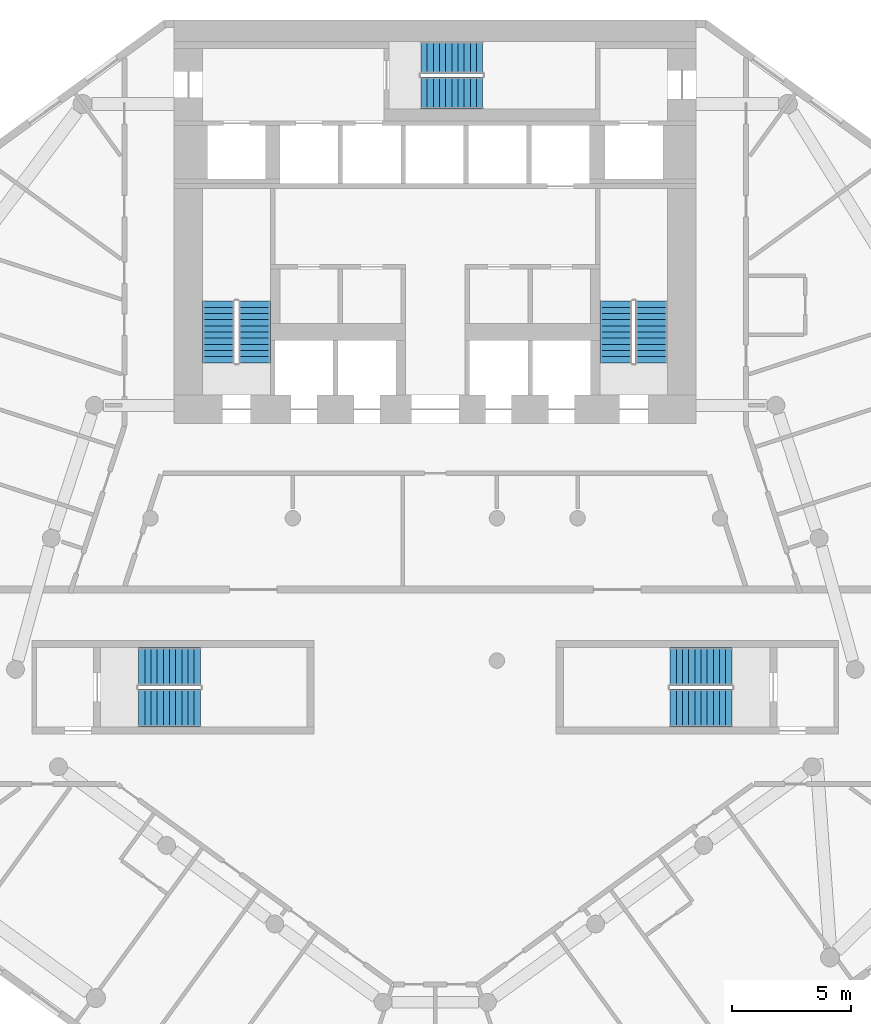
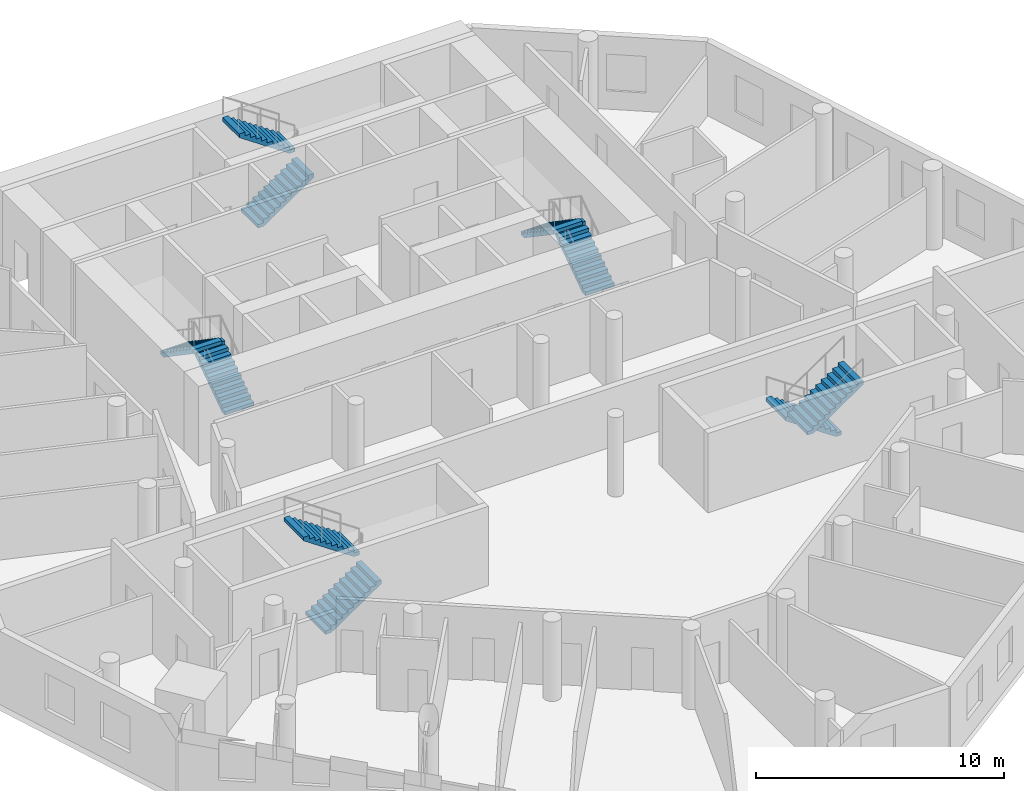
# One storey, part 7 of 9: 10 stair flights, 5 elements without a shape of their own.
"""IFC4 building model written with IfcOpenShell, lengths in metres."""

from ifc_helpers import new_model, si_unit, direction, frame, origin, place, context, subcontext, project, spatial, polyline, outline, extrude, material, layer, layer_set, type_object, element, aggregate, save


model = new_model("IFC4")

# Units and contexts
model_context = context("Model", 3, precision=1e-05, world=origin(), true_north=direction((0.0, 1.0)))
body_context = subcontext(model_context, "Body", "Model", "MODEL_VIEW")
ifc_project = project(units=[si_unit("LENGTHUNIT", "METRE"), si_unit("AREAUNIT", "SQUARE_METRE"), si_unit("VOLUMEUNIT", "CUBIC_METRE"), si_unit("PLANEANGLEUNIT", "RADIAN"), si_unit("MASSUNIT", "GRAM", prefix="KILO")], contexts=[model_context])

# Site, building, storey
site_placement = place(None, origin())
site = spatial("IfcSite", under=ifc_project, at=site_placement, CompositionType="ELEMENT")
building_placement = place(site_placement, origin())
building = spatial("IfcBuilding", under=site, at=building_placement, Name="White Candle Pilgrim Tower", CompositionType="ELEMENT")
storey_placement = place(building_placement, frame((0.0, 0.0, 46.800048828125)))
storey = spatial("IfcBuildingStorey", under=building, at=storey_placement, Name="L08", CompositionType="ELEMENT", Elevation=46.800048828125)

# Stair, stair flights
ifc_material = material(Name="Concrete C40/50", Category="concrete")
stair_type_1 = type_object("IfcStairType", Name="Exit stair 1 flight width 1350 mm", PredefinedType="HALF_TURN_STAIR", material=ifc_material)
stair_1_placement = place(storey_placement, origin())
stair_1 = element("IfcStair", 1, at=stair_1_placement, inside=storey, type_object=stair_type_1, Name="L08 stair 1", PredefinedType="NOTDEFINED")
ifc_layer = layer(ifc_material, 0.14990234375)
ifc_layer_set = layer_set([ifc_layer], Name="Stair flight Concrete C40/50")
stair_flight_type = type_object("IfcStairFlightType", Name="Stair flight Concrete C40/50", PredefinedType="STRAIGHT", material=ifc_layer_set)
stair_flight_1_placement = place(storey_placement, frame((62.375, 73.550048828125, 0.0), z_axis=(0.0, 0.0, 1.0), x_axis=(0.0, 1.0, 0.0)))
stair_flight_1 = element("IfcStairFlight", 2, at=stair_flight_1_placement, type_object=stair_flight_type, Name="ST1 flight 1", NumberOfRisers=11, NumberOfTreads=10, PredefinedType="NOTDEFINED", RiserHeight=0.177272727, TreadLength=0.26, context=body_context, shape_type="SweptSolid", body=[
    extrude(outline(polyline([(0.0, 0.0), (0.0, 0.17724609375), (0.260009765625, 0.17724609375), (0.260009765625, 0.3544921875), (0.52001953125, 0.3544921875), (0.52001953125, 0.53173828125), (0.780029296875, 0.53173828125), (0.780029296875, 0.708984375), (1.0400390625, 0.708984375), (1.0400390625, 0.886474609375), (1.300048828125, 0.886474609375), (1.300048828125, 1.063720703125), (1.56005859375, 1.063720703125), (1.56005859375, 1.240966796875), (1.820068359375, 1.240966796875), (1.820068359375, 1.418212890625), (2.080078125, 1.418212890625), (2.080078125, 1.595458984375), (2.340087890625, 1.595458984375), (2.340087890625, 1.772705078125), (2.60009765625, 1.772705078125), (2.60009765625, 1.949951171875), (2.60009765625, 1.59130859375), (0.26611328125, 0.0), (0.0, 0.0)])), frame((0.0, 0.675048828125, 0.0), z_axis=(0.0, -1.0, 0.0), x_axis=(1.0, 0.0, 0.0)), (0.0, 0.0, 1.0), 1.35009765625),
])
stair_flight_2_placement = place(storey_placement, frame((60.875, 76.14990234375, 1.949951171875), z_axis=(0.0, 0.0, 1.0), x_axis=(0.0, -1.0, 0.0)))
stair_flight_2 = element("IfcStairFlight", 3, at=stair_flight_2_placement, type_object=stair_flight_type, Name="ST1 flight 2", NumberOfRisers=11, NumberOfTreads=10, PredefinedType="NOTDEFINED", RiserHeight=0.177272727, TreadLength=0.26, context=body_context, shape_type="SweptSolid", body=[
    extrude(outline(polyline([(0.0, 0.0), (0.0, 0.17724609375), (0.260009765625, 0.17724609375), (0.260009765625, 0.3544921875), (0.52001953125, 0.3544921875), (0.52001953125, 0.53173828125), (0.780029296875, 0.53173828125), (0.780029296875, 0.708984375), (1.0400390625, 0.708984375), (1.0400390625, 0.886474609375), (1.300048828125, 0.886474609375), (1.300048828125, 1.063720703125), (1.56005859375, 1.063720703125), (1.56005859375, 1.240966796875), (1.820068359375, 1.240966796875), (1.820068359375, 1.418212890625), (2.080078125, 1.418212890625), (2.080078125, 1.595458984375), (2.340087890625, 1.595458984375), (2.340087890625, 1.772705078125), (2.60009765625, 1.772705078125), (2.60009765625, 1.949951171875), (2.60009765625, 1.59130859375), (0.26611328125, 0.0), (0.0, 0.0)])), frame((0.0, 0.675048828125, 0.0), z_axis=(0.0, -1.0, 0.0), x_axis=(1.0, 0.0, 0.0)), (0.0, 0.0, 1.0), 1.35009765625),
])
aggregate(stair_1, [stair_flight_1, stair_flight_2])

stair_type_2 = type_object("IfcStairType", Name="Exit stair 2 flight width 1350 mm", PredefinedType="HALF_TURN_STAIR", material=ifc_material)
stair_2_placement = place(storey_placement, origin())
stair_2 = element("IfcStair", 4, at=stair_2_placement, inside=storey, type_object=stair_type_2, Name="L08 stair 2", PredefinedType="NOTDEFINED")
stair_flight_3_placement = place(storey_placement, frame((79.125, 73.550048828125, 0.0), z_axis=(0.0, 0.0, 1.0), x_axis=(0.0, 1.0, 0.0)))
stair_flight_3 = element("IfcStairFlight", 5, at=stair_flight_3_placement, type_object=stair_flight_type, Name="ST2 flight 1", NumberOfRisers=11, NumberOfTreads=10, PredefinedType="NOTDEFINED", RiserHeight=0.177272727, TreadLength=0.26, context=body_context, shape_type="SweptSolid", body=[
    extrude(outline(polyline([(0.0, 0.0), (0.0, 0.17724609375), (0.260009765625, 0.17724609375), (0.260009765625, 0.3544921875), (0.52001953125, 0.3544921875), (0.52001953125, 0.53173828125), (0.780029296875, 0.53173828125), (0.780029296875, 0.708984375), (1.0400390625, 0.708984375), (1.0400390625, 0.886474609375), (1.300048828125, 0.886474609375), (1.300048828125, 1.063720703125), (1.56005859375, 1.063720703125), (1.56005859375, 1.240966796875), (1.820068359375, 1.240966796875), (1.820068359375, 1.418212890625), (2.080078125, 1.418212890625), (2.080078125, 1.595458984375), (2.340087890625, 1.595458984375), (2.340087890625, 1.772705078125), (2.60009765625, 1.772705078125), (2.60009765625, 1.949951171875), (2.60009765625, 1.59130859375), (0.26611328125, 0.0), (0.0, 0.0)])), frame((0.0, 0.675048828125, 0.0), z_axis=(0.0, -1.0, 0.0), x_axis=(1.0, 0.0, 0.0)), (0.0, 0.0, 1.0), 1.35009765625),
])
stair_flight_4_placement = place(storey_placement, frame((77.625, 76.14990234375, 1.949951171875), z_axis=(0.0, 0.0, 1.0), x_axis=(0.0, -1.0, 0.0)))
stair_flight_4 = element("IfcStairFlight", 6, at=stair_flight_4_placement, type_object=stair_flight_type, Name="ST2 flight 2", NumberOfRisers=11, NumberOfTreads=10, PredefinedType="NOTDEFINED", RiserHeight=0.177272727, TreadLength=0.26, context=body_context, shape_type="SweptSolid", body=[
    extrude(outline(polyline([(0.0, 0.0), (0.0, 0.17724609375), (0.260009765625, 0.17724609375), (0.260009765625, 0.3544921875), (0.52001953125, 0.3544921875), (0.52001953125, 0.53173828125), (0.780029296875, 0.53173828125), (0.780029296875, 0.708984375), (1.0400390625, 0.708984375), (1.0400390625, 0.886474609375), (1.300048828125, 0.886474609375), (1.300048828125, 1.063720703125), (1.56005859375, 1.063720703125), (1.56005859375, 1.240966796875), (1.820068359375, 1.240966796875), (1.820068359375, 1.418212890625), (2.080078125, 1.418212890625), (2.080078125, 1.595458984375), (2.340087890625, 1.595458984375), (2.340087890625, 1.772705078125), (2.60009765625, 1.772705078125), (2.60009765625, 1.949951171875), (2.60009765625, 1.59130859375), (0.26611328125, 0.0), (0.0, 0.0)])), frame((0.0, 0.675048828125, 0.0), z_axis=(0.0, -1.0, 0.0), x_axis=(1.0, 0.0, 0.0)), (0.0, 0.0, 1.0), 1.35009765625),
])
aggregate(stair_2, [stair_flight_3, stair_flight_4])

stair_type_3 = type_object("IfcStairType", Name="Exit stair 3 flight width 1350 mm", PredefinedType="HALF_TURN_STAIR", material=ifc_material)
stair_3_placement = place(storey_placement, origin())
stair_3 = element("IfcStair", 7, at=stair_3_placement, inside=storey, type_object=stair_type_3, Name="L08 stair 3", PredefinedType="NOTDEFINED")
stair_flight_5_placement = place(storey_placement, frame((69.39990234375, 84.925048828125, 0.0), z_axis=(0.0, 0.0, 1.0), x_axis=(1.0, 0.0, 0.0)))
stair_flight_5 = element("IfcStairFlight", 8, at=stair_flight_5_placement, type_object=stair_flight_type, Name="ST3 flight 1", NumberOfRisers=11, NumberOfTreads=10, PredefinedType="NOTDEFINED", RiserHeight=0.177272727, TreadLength=0.26, context=body_context, shape_type="SweptSolid", body=[
    extrude(outline(polyline([(0.0, 0.0), (0.0, 0.17724609375), (0.260009765625, 0.17724609375), (0.260009765625, 0.3544921875), (0.52001953125, 0.3544921875), (0.52001953125, 0.53173828125), (0.780029296875, 0.53173828125), (0.780029296875, 0.708984375), (1.0400390625, 0.708984375), (1.0400390625, 0.886474609375), (1.300048828125, 0.886474609375), (1.300048828125, 1.063720703125), (1.56005859375, 1.063720703125), (1.56005859375, 1.240966796875), (1.820068359375, 1.240966796875), (1.820068359375, 1.418212890625), (2.080078125, 1.418212890625), (2.080078125, 1.595458984375), (2.340087890625, 1.595458984375), (2.340087890625, 1.772705078125), (2.60009765625, 1.772705078125), (2.60009765625, 1.949951171875), (2.60009765625, 1.59130859375), (0.26611328125, 0.0), (0.0, 0.0)])), frame((0.0, 0.675048828125, 0.0), z_axis=(0.0, -1.0, 0.0), x_axis=(1.0, 0.0, 0.0)), (0.0, 0.0, 1.0), 1.35009765625),
])
stair_flight_6_placement = place(storey_placement, frame((72.0, 86.425048828125, 1.949951171875), z_axis=(0.0, 0.0, 1.0), x_axis=(-1.0, 0.0, 0.0)))
stair_flight_6 = element("IfcStairFlight", 9, at=stair_flight_6_placement, type_object=stair_flight_type, Name="ST3 flight 2", NumberOfRisers=11, NumberOfTreads=10, PredefinedType="NOTDEFINED", RiserHeight=0.177272727, TreadLength=0.26, context=body_context, shape_type="SweptSolid", body=[
    extrude(outline(polyline([(0.0, 0.0), (0.0, 0.17724609375), (0.260009765625, 0.17724609375), (0.260009765625, 0.3544921875), (0.52001953125, 0.3544921875), (0.52001953125, 0.53173828125), (0.780029296875, 0.53173828125), (0.780029296875, 0.708984375), (1.0400390625, 0.708984375), (1.0400390625, 0.886474609375), (1.300048828125, 0.886474609375), (1.300048828125, 1.063720703125), (1.56005859375, 1.063720703125), (1.56005859375, 1.240966796875), (1.820068359375, 1.240966796875), (1.820068359375, 1.418212890625), (2.080078125, 1.418212890625), (2.080078125, 1.595458984375), (2.340087890625, 1.595458984375), (2.340087890625, 1.772705078125), (2.60009765625, 1.772705078125), (2.60009765625, 1.949951171875), (2.60009765625, 1.59130859375), (0.26611328125, 0.0), (0.0, 0.0)])), frame((0.0, 0.675048828125, 0.0), z_axis=(0.0, -1.0, 0.0), x_axis=(1.0, 0.0, 0.0)), (0.0, 0.0, 1.0), 1.35009765625),
])
aggregate(stair_3, [stair_flight_5, stair_flight_6])

stair_type_4 = type_object("IfcStairType", Name="Exit stair 4 flight width 1600 mm", PredefinedType="HALF_TURN_STAIR", material=ifc_material)
stair_4_placement = place(storey_placement, origin())
stair_4 = element("IfcStair", 10, at=stair_4_placement, inside=storey, type_object=stair_type_4, Name="L08 stair 4", PredefinedType="NOTDEFINED")
stair_flight_7_placement = place(storey_placement, frame((82.5, 60.75, 0.0), z_axis=(0.0, 0.0, 1.0), x_axis=(-1.0, 0.0, 0.0)))
stair_flight_7 = element("IfcStairFlight", 11, at=stair_flight_7_placement, type_object=stair_flight_type, Name="ST4 flight 1", NumberOfRisers=11, NumberOfTreads=10, PredefinedType="NOTDEFINED", RiserHeight=0.177272727, TreadLength=0.26, context=body_context, shape_type="SweptSolid", body=[
    extrude(outline(polyline([(0.0, 0.0), (0.0, 0.17724609375), (0.260009765625, 0.17724609375), (0.260009765625, 0.3544921875), (0.52001953125, 0.3544921875), (0.52001953125, 0.53173828125), (0.780029296875, 0.53173828125), (0.780029296875, 0.708984375), (1.0400390625, 0.708984375), (1.0400390625, 0.886474609375), (1.300048828125, 0.886474609375), (1.300048828125, 1.063720703125), (1.56005859375, 1.063720703125), (1.56005859375, 1.240966796875), (1.820068359375, 1.240966796875), (1.820068359375, 1.418212890625), (2.080078125, 1.418212890625), (2.080078125, 1.595458984375), (2.340087890625, 1.595458984375), (2.340087890625, 1.772705078125), (2.60009765625, 1.772705078125), (2.60009765625, 1.949951171875), (2.60009765625, 1.59130859375), (0.26611328125, 0.0), (0.0, 0.0)])), frame((0.0, 0.800048828125, 0.0), z_axis=(0.0, -1.0, 0.0), x_axis=(1.0, 0.0, 0.0)), (0.0, 0.0, 1.0), 1.60009765625),
])
stair_flight_8_placement = place(storey_placement, frame((79.89990234375, 59.0, 1.949951171875), z_axis=(0.0, 0.0, 1.0), x_axis=(1.0, 0.0, 0.0)))
stair_flight_8 = element("IfcStairFlight", 12, at=stair_flight_8_placement, type_object=stair_flight_type, Name="ST4 flight 2", NumberOfRisers=11, NumberOfTreads=10, PredefinedType="NOTDEFINED", RiserHeight=0.177272727, TreadLength=0.26, context=body_context, shape_type="SweptSolid", body=[
    extrude(outline(polyline([(0.0, 0.0), (0.0, 0.17724609375), (0.260009765625, 0.17724609375), (0.260009765625, 0.3544921875), (0.52001953125, 0.3544921875), (0.52001953125, 0.53173828125), (0.780029296875, 0.53173828125), (0.780029296875, 0.708984375), (1.0400390625, 0.708984375), (1.0400390625, 0.886474609375), (1.300048828125, 0.886474609375), (1.300048828125, 1.063720703125), (1.56005859375, 1.063720703125), (1.56005859375, 1.240966796875), (1.820068359375, 1.240966796875), (1.820068359375, 1.418212890625), (2.080078125, 1.418212890625), (2.080078125, 1.595458984375), (2.340087890625, 1.595458984375), (2.340087890625, 1.772705078125), (2.60009765625, 1.772705078125), (2.60009765625, 1.949951171875), (2.60009765625, 1.59130859375), (0.26611328125, 0.0), (0.0, 0.0)])), frame((0.0, 0.800048828125, 0.0), z_axis=(0.0, -1.0, 0.0), x_axis=(1.0, 0.0, 0.0)), (0.0, 0.0, 1.0), 1.60009765625),
])
aggregate(stair_4, [stair_flight_7, stair_flight_8])

stair_type_5 = type_object("IfcStairType", Name="Exit stair 5 flight width 1600 mm", PredefinedType="HALF_TURN_STAIR", material=ifc_material)
stair_5_placement = place(storey_placement, origin())
stair_5 = element("IfcStair", 13, at=stair_5_placement, inside=storey, type_object=stair_type_5, Name="L08 stair 5", PredefinedType="NOTDEFINED")
stair_flight_9_placement = place(storey_placement, frame((57.5, 59.0, 0.0), z_axis=(0.0, 0.0, 1.0), x_axis=(1.0, 0.0, 0.0)))
stair_flight_9 = element("IfcStairFlight", 14, at=stair_flight_9_placement, type_object=stair_flight_type, Name="ST5 flight 1", NumberOfRisers=11, NumberOfTreads=10, PredefinedType="NOTDEFINED", RiserHeight=0.177272727, TreadLength=0.26, context=body_context, shape_type="SweptSolid", body=[
    extrude(outline(polyline([(0.0, 0.0), (0.0, 0.17724609375), (0.260009765625, 0.17724609375), (0.260009765625, 0.3544921875), (0.52001953125, 0.3544921875), (0.52001953125, 0.53173828125), (0.780029296875, 0.53173828125), (0.780029296875, 0.708984375), (1.0400390625, 0.708984375), (1.0400390625, 0.886474609375), (1.300048828125, 0.886474609375), (1.300048828125, 1.063720703125), (1.56005859375, 1.063720703125), (1.56005859375, 1.240966796875), (1.820068359375, 1.240966796875), (1.820068359375, 1.418212890625), (2.080078125, 1.418212890625), (2.080078125, 1.595458984375), (2.340087890625, 1.595458984375), (2.340087890625, 1.772705078125), (2.60009765625, 1.772705078125), (2.60009765625, 1.949951171875), (2.60009765625, 1.59130859375), (0.26611328125, 0.0), (0.0, 0.0)])), frame((0.0, 0.800048828125, 0.0), z_axis=(0.0, -1.0, 0.0), x_axis=(1.0, 0.0, 0.0)), (0.0, 0.0, 1.0), 1.60009765625),
])
stair_flight_10_placement = place(storey_placement, frame((60.10009765625, 60.75, 1.949951171875), z_axis=(0.0, 0.0, 1.0), x_axis=(-1.0, 0.0, 0.0)))
stair_flight_10 = element("IfcStairFlight", 15, at=stair_flight_10_placement, type_object=stair_flight_type, Name="ST5 flight 2", NumberOfRisers=11, NumberOfTreads=10, PredefinedType="NOTDEFINED", RiserHeight=0.177272727, TreadLength=0.26, context=body_context, shape_type="SweptSolid", body=[
    extrude(outline(polyline([(0.0, 0.0), (0.0, 0.17724609375), (0.260009765625, 0.17724609375), (0.260009765625, 0.3544921875), (0.52001953125, 0.3544921875), (0.52001953125, 0.53173828125), (0.780029296875, 0.53173828125), (0.780029296875, 0.708984375), (1.0400390625, 0.708984375), (1.0400390625, 0.886474609375), (1.300048828125, 0.886474609375), (1.300048828125, 1.063720703125), (1.56005859375, 1.063720703125), (1.56005859375, 1.240966796875), (1.820068359375, 1.240966796875), (1.820068359375, 1.418212890625), (2.080078125, 1.418212890625), (2.080078125, 1.595458984375), (2.340087890625, 1.595458984375), (2.340087890625, 1.772705078125), (2.60009765625, 1.772705078125), (2.60009765625, 1.949951171875), (2.60009765625, 1.59130859375), (0.26611328125, 0.0), (0.0, 0.0)])), frame((0.0, 0.800048828125, 0.0), z_axis=(0.0, -1.0, 0.0), x_axis=(1.0, 0.0, 0.0)), (0.0, 0.0, 1.0), 1.60009765625),
])
aggregate(stair_5, [stair_flight_9, stair_flight_10])

save(model, "model.ifc")
